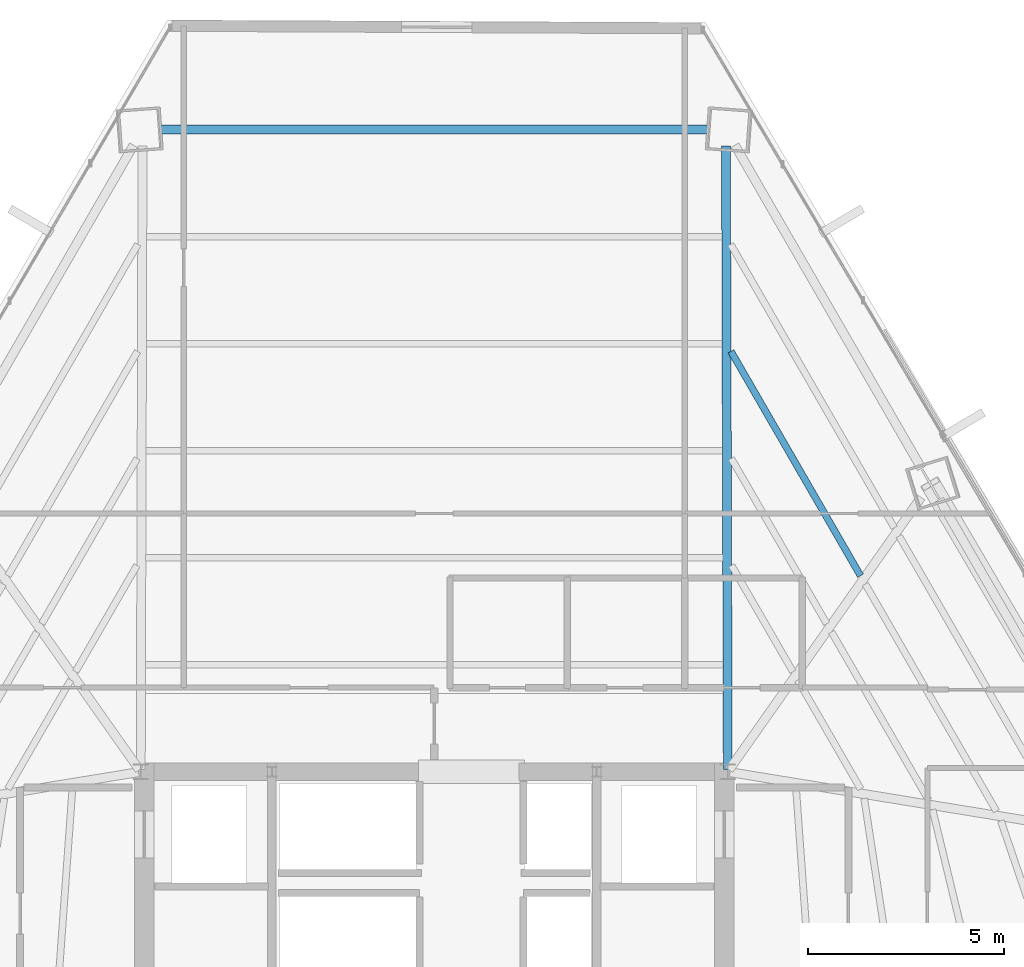
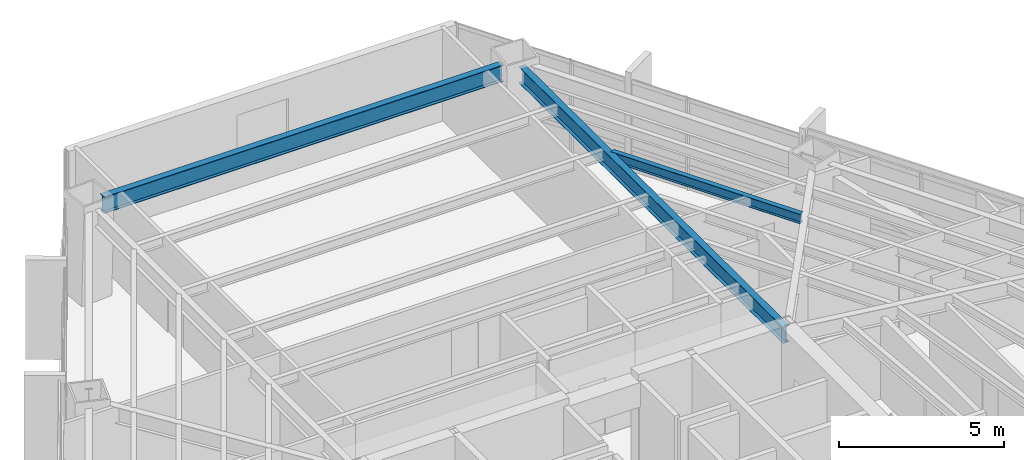
# One storey, part 27 of 37: 3 beams.
"""IFC4 building model written with IfcOpenShell, lengths in metres."""

from ifc_helpers import new_model, si_unit, direction, frame, origin, origin_2d, place, context, subcontext, project, spatial, i_section, extrude, source, transform, mapped, material, material_profile, profile_set, type_object, type_shapes, element, save


model = new_model("IFC4")

# Units and contexts
model_context = context("Model", 3, precision=1e-05, world=origin(), true_north=direction((0.0, 1.0)))
body_context = subcontext(model_context, "Body", "Model", "MODEL_VIEW")
ifc_project = project(units=[si_unit("LENGTHUNIT", "METRE"), si_unit("AREAUNIT", "SQUARE_METRE"), si_unit("VOLUMEUNIT", "CUBIC_METRE"), si_unit("PLANEANGLEUNIT", "RADIAN"), si_unit("MASSUNIT", "GRAM", prefix="KILO")], contexts=[model_context])

# Site, building, storey
site_placement = place(None, origin())
site = spatial("IfcSite", under=ifc_project, at=site_placement, CompositionType="ELEMENT")
building_placement = place(site_placement, origin())
building = spatial("IfcBuilding", under=site, at=building_placement, Name="Caelisora Broadcast Tower", CompositionType="ELEMENT")
storey_placement = place(building_placement, frame((0.0, 0.0, 101.75)))
storey = spatial("IfcBuildingStorey", under=building, at=storey_placement, Name="L26", CompositionType="ELEMENT", Elevation=101.75)

# Beams
ifc_material = material(Name="Steel Grade 350 (AS/NZS 3679.1)", Category="steel")
ifc_material_profile_1 = material_profile(ifc_material, i_section(OverallWidth=0.22900390625, OverallDepth=0.611572265625, WebThickness=0.011962890625, FlangeThickness=0.01953125, at=origin_2d()), Name="Steel Grade 350 (AS/NZS 3679.1)")
ifc_profile_set_1 = profile_set([ifc_material_profile_1], Name="Steel Grade 350 (AS/NZS 3679.1)")
beam_type_1 = type_object("IfcBeamType", Name="PG03", PredefinedType="BEAM", material=ifc_profile_set_1)
shared_shape_1 = source(origin(), body_context, "Body", "SweptSolid", [
    extrude(i_section(OverallWidth=0.22900390625, OverallDepth=0.611572265625, WebThickness=0.011962890625, FlangeThickness=0.01953125, at=origin_2d()), origin(), (0.0, 0.0, 1.0), 13.98583984375),
])
type_shapes(beam_type_1, [shared_shape_1])
beam_1_placement = place(storey_placement, frame((44.992919921875, 46.408935546875, 3.09423828125), z_axis=(-1.0, 0.0, 0.0), x_axis=(0.0, -1.0, 0.0)))
element("IfcBeam", 1, at=beam_1_placement, inside=storey, type_object=beam_type_1, Name="L26 beam PG03", PredefinedType="BEAM", context=body_context, shape_type="MappedRepresentation", body=[
    mapped(shared_shape_1, transform((0.0, 0.0, 0.0), scale=1.0)),
])
ifc_material_profile_2 = material_profile(ifc_material, i_section(OverallWidth=0.22802734375, OverallDepth=0.602294921875, WebThickness=0.010498046875, FlangeThickness=0.014892578125, at=origin_2d()), Name="Steel Grade 350 (AS/NZS 3679.1)")
ifc_profile_set_2 = profile_set([ifc_material_profile_2], Name="Steel Grade 350 (AS/NZS 3679.1)")
beam_type_2 = type_object("IfcBeamType", Name="PG04", PredefinedType="BEAM", material=ifc_profile_set_2)
shared_shape_2 = source(origin(), body_context, "Body", "SweptSolid", [
    extrude(i_section(OverallWidth=0.22802734375, OverallDepth=0.602294921875, WebThickness=0.010498046875, FlangeThickness=0.014892578125, at=origin_2d()), origin(), (0.0, 0.0, 1.0), 15.928955078125),
])
type_shapes(beam_type_2, [shared_shape_2])
beam_2_placement = place(storey_placement, frame((45.499755859375, 30.06005859375, 3.098876953125), z_axis=(-0.002866108237, 0.999995892703, 0.0), x_axis=(-0.999995892703, -0.002866108237, 0.0)))
element("IfcBeam", 2, at=beam_2_placement, inside=storey, type_object=beam_type_2, Name="L26 beam PG04", PredefinedType="BEAM", context=body_context, shape_type="MappedRepresentation", body=[
    mapped(shared_shape_2, transform((0.0, 0.0, 0.0), scale=1.0)),
])
ifc_material_profile_3 = material_profile(ifc_material, i_section(OverallWidth=0.172119140625, OverallDepth=0.358642578125, WebThickness=0.008056640625, FlangeThickness=0.012939453125, at=origin_2d()), Name="Steel Grade 350 (AS/NZS 3679.1)")
ifc_profile_set_3 = profile_set([ifc_material_profile_3], Name="Steel Grade 350 (AS/NZS 3679.1)")
beam_type_3 = type_object("IfcBeamType", Name="SB02", PredefinedType="JOIST", material=ifc_profile_set_3)
shared_shape_3 = source(origin(), body_context, "Body", "SweptSolid", [
    extrude(i_section(OverallWidth=0.172119140625, OverallDepth=0.358642578125, WebThickness=0.008056640625, FlangeThickness=0.012939453125, at=origin_2d()), origin(), (0.0, 0.0, 1.0), 6.6201171875),
])
type_shapes(beam_type_3, [shared_shape_3])
beam_3_placement = place(storey_placement, frame((48.891845703125, 35.01025390625, 3.220703125), z_axis=(-0.500002313088, 0.866024068318, 0.0), x_axis=(-0.866024068318, -0.500002313088, 0.0)))
element("IfcBeam", 3, at=beam_3_placement, inside=storey, type_object=beam_type_3, Name="L26 beam SB02", PredefinedType="JOIST", context=body_context, shape_type="MappedRepresentation", body=[
    mapped(shared_shape_3, transform((0.0, 0.0, 0.0), scale=1.0)),
])

save(model, "model.ifc")
